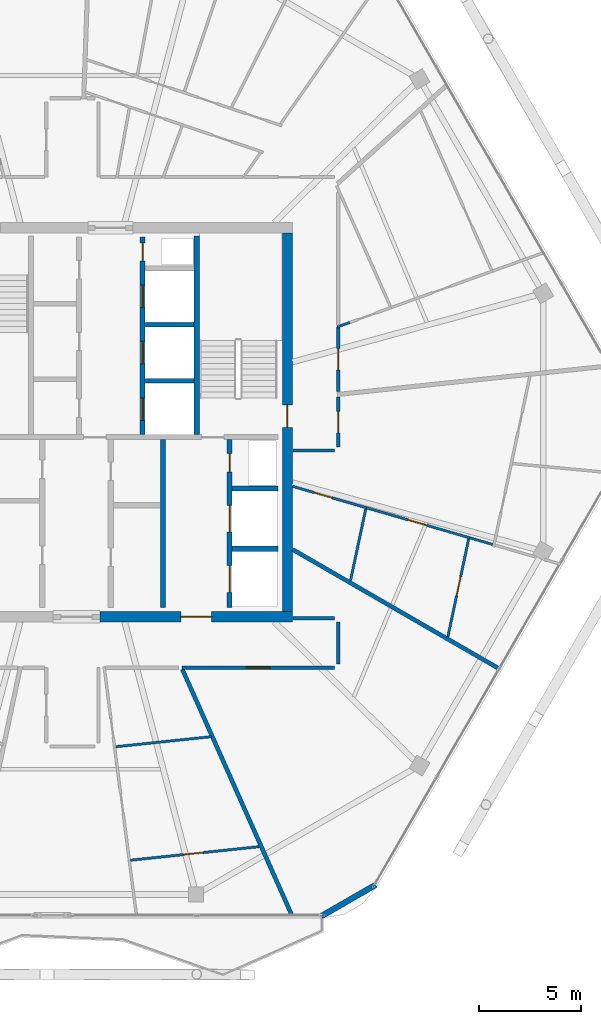
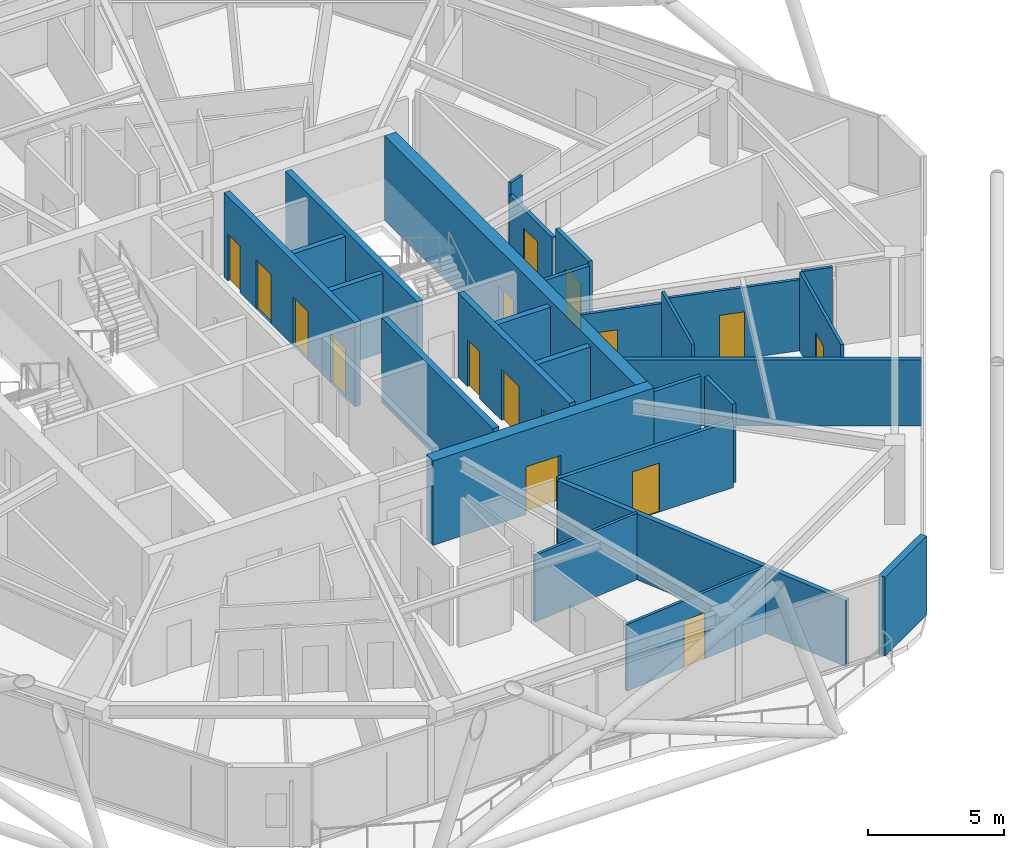
# One storey, part 18 of 23: 27 walls, 16 doors, 16 openings.
"""IFC4 building model written with IfcOpenShell, lengths in metres."""

from ifc_helpers import new_model, si_unit, direction, frame, frame_2d, origin, place, context, subcontext, project, spatial, rectangle, extrude, material, layer, layer_set, type_object, element, fill, save


model = new_model("IFC4")

# Units and contexts
model_context = context("Model", 3, precision=1e-05, world=origin(), true_north=direction((0.0, 1.0)))
body_context = subcontext(model_context, "Body", "Model", "MODEL_VIEW")
ifc_project = project(units=[si_unit("LENGTHUNIT", "METRE"), si_unit("AREAUNIT", "SQUARE_METRE"), si_unit("VOLUMEUNIT", "CUBIC_METRE"), si_unit("PLANEANGLEUNIT", "RADIAN"), si_unit("MASSUNIT", "GRAM", prefix="KILO")], contexts=[model_context])

# Site, building, storey
site_placement = place(None, origin())
site = spatial("IfcSite", under=ifc_project, at=site_placement, CompositionType="ELEMENT")
building_placement = place(site_placement, origin())
building = spatial("IfcBuilding", under=site, at=building_placement, Name="Zuhravey Tower", CompositionType="ELEMENT")
storey_placement = place(building_placement, frame((0.0, 0.0, 346.199951171875)))
storey = spatial("IfcBuildingStorey", under=building, at=storey_placement, Name="L88", CompositionType="ELEMENT", Elevation=346.199951171875)

# Wall, opening, door
ifc_material_1 = material(Name="Concrete C50/60", Category="concrete")
ifc_layer_1 = layer(ifc_material_1, 0.5)
ifc_layer_set_1 = layer_set([ifc_layer_1], Name="Concrete C50/60")
wall_type_1 = type_object("IfcWallType", Name="Core Shear Wall 500", PredefinedType="SHEAR", material=ifc_layer_set_1)
wall_1_placement = place(storey_placement, frame((37.35009765625, 22.5, 0.0), z_axis=(0.0, 0.0, 1.0), x_axis=(1.0, 0.0, 0.0)))
wall_1 = element("IfcWall", 1, at=wall_1_placement, inside=storey, type_object=wall_type_1, Name="L88 South-East Core Shear Wall CW50", PredefinedType="SHEAR", context=body_context, shape_type="SweptSolid", body=[
    extrude(rectangle(XDim=9.39990234375, YDim=0.5, at=frame_2d((4.699951171875, 0.0))), origin(), (0.0, 0.0, 1.0), 3.800048828125),
])
opening_1_placement = place(wall_1_placement, frame((3.949951171875, 0.0, 0.0)))
opening_1 = element("IfcOpeningElement", 2, at=opening_1_placement, cuts=wall_1, Name="Opening FFD1", PredefinedType="OPENING", context=body_context, shape_type="SweptSolid", body=[
    extrude(rectangle(XDim=1.5, YDim=2.14990234375, at=frame_2d((0.75, 1.074951171875))), frame((0.0, 0.261962890625, 0.0), z_axis=(0.0, -1.0, 0.0), x_axis=(1.0, 0.0, 0.0)), (0.0, 0.0, 1.0), 0.52392578125),
])
ifc_material_2 = material(Name="Galvanised fire-rated steel leaf", Category="steel")
door_type_1 = type_object("IfcDoorType", Name="Firefighting Lobby Double Door 1500x2150", OperationType="DOUBLE_DOOR_SINGLE_SWING", PredefinedType="DOOR", material=ifc_material_2)
door_1_placement = place(opening_1_placement, origin())
door_1 = element("IfcDoor", 3, at=door_1_placement, inside=storey, type_object=door_type_1, Name="L88 Firefighting Lobby East Door", OperationType="DOUBLE_DOOR_SINGLE_SWING", OverallHeight=2.14990234375, OverallWidth=1.5, PredefinedType="DOOR", context=body_context, shape_type="SweptSolid", body=[
    extrude(rectangle(XDim=1.5, YDim=2.14990234375, at=frame_2d((0.75, 1.074951171875))), frame((0.0, 0.02490234375, 0.0), z_axis=(0.0, -1.0, 0.0), x_axis=(1.0, 0.0, 0.0)), (0.0, 0.0, 1.0), 0.050048828125),
])
fill(opening_1, door_1)

wall_2_placement = place(storey_placement, frame((46.5, 22.75, 0.0), z_axis=(0.0, 0.0, 1.0), x_axis=(0.0, 1.0, 0.0)))
wall_2 = element("IfcWall", 4, at=wall_2_placement, inside=storey, type_object=wall_type_1, Name="L88 East Core Shear Wall CW50", PredefinedType="SHEAR", context=body_context, shape_type="SweptSolid", body=[
    extrude(rectangle(XDim=18.5, YDim=0.5, at=frame_2d((9.25, 0.0))), origin(), (0.0, 0.0, 1.0), 3.800048828125),
])
opening_2_placement = place(wall_2_placement, frame((9.0, 0.0, 0.0)))
opening_2 = element("IfcOpeningElement", 5, at=opening_2_placement, cuts=wall_2, Name="Opening STD1", PredefinedType="OPENING", context=body_context, shape_type="SweptSolid", body=[
    extrude(rectangle(XDim=1.10009765625, YDim=2.14990234375, at=frame_2d((0.550048828125, 1.074951171875))), frame((0.0, 0.261962890625, 0.0), z_axis=(0.0, -1.0, 0.0), x_axis=(1.0, 0.0, 0.0)), (0.0, 0.0, 1.0), 0.52392578125),
])
door_type_2 = type_object("IfcDoorType", Name="Protected Stair Fire Door 1100x2150", OperationType="NOTDEFINED", PredefinedType="USERDEFINED", material=ifc_material_2)
door_2_placement = place(opening_2_placement, origin())
door_2 = element("IfcDoor", 6, at=door_2_placement, inside=storey, type_object=door_type_2, Name="L88 Stair ST2 Door", ObjectType="EXITDOOR", OperationType="SINGLE_SWING_LEFT", OverallHeight=2.14990234375, OverallWidth=1.10009765625, PredefinedType="USERDEFINED", context=body_context, shape_type="SweptSolid", body=[
    extrude(rectangle(XDim=1.10009765625, YDim=2.14990234375, at=frame_2d((0.550048828125, 1.074951171875))), frame((0.0, 0.02490234375, 0.0), z_axis=(0.0, -1.0, 0.0), x_axis=(1.0, 0.0, 0.0)), (0.0, 0.0, 1.0), 0.050048828125),
])
fill(opening_2, door_2)

ifc_material_3 = material(Name="Gypsum fire-rated stud partition")
ifc_layer_2 = layer(ifc_material_3, 0.159912109375)
ifc_layer_set_2 = layer_set([ifc_layer_2], Name="Gypsum fire-rated stud partition")
wall_type_2 = type_object("IfcWallType", Name="Corridor Fire Partition 160", PredefinedType="PARTITIONING", material=ifc_layer_set_2)
wall_3_placement = place(storey_placement, frame((41.355712890625, 20.02001953125, 0.0), z_axis=(0.0, 0.0, 1.0), x_axis=(1.0, 0.0, 0.0)))
wall_3 = element("IfcWall", 7, at=wall_3_placement, inside=storey, type_object=wall_type_2, Name="L88 IW16 Partition 041", PredefinedType="PARTITIONING", context=body_context, shape_type="SweptSolid", body=[
    extrude(rectangle(XDim=7.4443359375, YDim=0.159912109375, at=frame_2d((3.72216796875, 0.0))), origin(), (0.0, 0.0, 1.0), 3.0),
])
opening_3_placement = place(wall_3_placement, frame((3.147216796875, 0.0, 0.0)))
opening_3 = element("IfcOpeningElement", 8, at=opening_3_placement, cuts=wall_3, Name="Opening CLD1", PredefinedType="OPENING", context=body_context, shape_type="SweptSolid", body=[
    extrude(rectangle(XDim=1.14990234375, YDim=2.199951171875, at=frame_2d((0.574951171875, 1.10009765625))), frame((0.0, 0.092041015625, 0.0), z_axis=(0.0, -1.0, 0.0), x_axis=(1.0, 0.0, 0.0)), (0.0, 0.0, 1.0), 0.183837890625),
])
ifc_material_4 = material(Name="Acoustic timber leaf with vision lite", Category="wood")
door_type_3 = type_object("IfcDoorType", Name="Classroom Acoustic Door 1150x2200", OperationType="NOTDEFINED", PredefinedType="DOOR", material=ifc_material_4)
door_3_placement = place(opening_3_placement, frame((1.14990234375, 0.0, 0.0), z_axis=(0.0, 0.0, 1.0), x_axis=(-1.0, 0.0, 0.0)))
door_3 = element("IfcDoor", 9, at=door_3_placement, inside=storey, type_object=door_type_3, Name="L88 Door 041.1", OperationType="SINGLE_SWING_LEFT", OverallHeight=2.199951171875, OverallWidth=1.14990234375, PredefinedType="DOOR", context=body_context, shape_type="SweptSolid", body=[
    extrude(rectangle(XDim=1.14990234375, YDim=2.199951171875, at=frame_2d((0.574951171875, 1.10009765625))), frame((0.0, 0.02490234375, 0.0), z_axis=(0.0, -1.0, 0.0), x_axis=(1.0, 0.0, 0.0)), (0.0, 0.0, 1.0), 0.050048828125),
])
fill(opening_3, door_3)

wall_4_placement = place(storey_placement, frame((48.97998046875, 30.800048828125, 0.0), z_axis=(0.0, 0.0, 1.0), x_axis=(0.0, 1.0, 0.0)))
wall_4 = element("IfcWall", 10, at=wall_4_placement, inside=storey, type_object=wall_type_2, Name="L88 IW16 Partition 046", PredefinedType="PARTITIONING", context=body_context, shape_type="SweptSolid", body=[
    extrude(rectangle(XDim=2.4296875, YDim=0.159912109375, at=frame_2d((1.21484375, 0.0))), origin(), (0.0, 0.0, 1.0), 3.550048828125),
])
opening_4_placement = place(wall_4_placement, frame((0.68994140625, 0.0, 0.0)))
opening_4 = element("IfcOpeningElement", 11, at=opening_4_placement, cuts=wall_4, Name="Opening APD1", PredefinedType="OPENING", context=body_context, shape_type="SweptSolid", body=[
    extrude(rectangle(XDim=1.050048828125, YDim=2.14990234375, at=frame_2d((0.52490234375, 1.074951171875))), frame((0.0, 0.092041015625, 0.0), z_axis=(0.0, -1.0, 0.0), x_axis=(1.0, 0.0, 0.0)), (0.0, 0.0, 1.0), 0.183837890625),
])
ifc_material_5 = material(Name="Solid-core oak fire-rated leaf")
door_type_4 = type_object("IfcDoorType", Name="Apartment Entrance Fire Door 1050x2150", OperationType="NOTDEFINED", PredefinedType="DOOR", material=ifc_material_5)
door_4_placement = place(opening_4_placement, frame((1.050048828125, 0.0, 0.0), z_axis=(0.0, 0.0, 1.0), x_axis=(-1.0, 0.0, 0.0)))
door_4 = element("IfcDoor", 12, at=door_4_placement, inside=storey, type_object=door_type_4, Name="L88 Door 046.1", OperationType="SINGLE_SWING_LEFT", OverallHeight=2.14990234375, OverallWidth=1.050048828125, PredefinedType="DOOR", context=body_context, shape_type="SweptSolid", body=[
    extrude(rectangle(XDim=1.050048828125, YDim=2.14990234375, at=frame_2d((0.52490234375, 1.074951171875))), frame((0.0, 0.02490234375, 0.0), z_axis=(0.0, -1.0, 0.0), x_axis=(1.0, 0.0, 0.0)), (0.0, 0.0, 1.0), 0.050048828125),
])
fill(opening_4, door_4)

wall_5_placement = place(storey_placement, frame((48.97998046875, 33.4990234375, 0.0), z_axis=(0.0, 0.0, 1.0), x_axis=(0.0, 1.0, 0.0)))
wall_5 = element("IfcWall", 13, at=wall_5_placement, inside=storey, type_object=wall_type_2, Name="L88 IW16 Partition 050", PredefinedType="PARTITIONING", context=body_context, shape_type="SweptSolid", body=[
    extrude(rectangle(XDim=3.15283203125, YDim=0.159912109375, at=frame_2d((1.576416015625, 0.0))), origin(), (0.0, 0.0, 1.0), 3.0),
])
opening_5_placement = place(wall_5_placement, frame((1.051513671875, 0.0, 0.0)))
opening_5 = element("IfcOpeningElement", 14, at=opening_5_placement, cuts=wall_5, Name="Opening APD1", PredefinedType="OPENING", context=body_context, shape_type="SweptSolid", body=[
    extrude(rectangle(XDim=1.050048828125, YDim=2.14990234375, at=frame_2d((0.52490234375, 1.074951171875))), frame((0.0, 0.092041015625, 0.0), z_axis=(0.0, -1.0, 0.0), x_axis=(1.0, 0.0, 0.0)), (0.0, 0.0, 1.0), 0.183837890625),
])
door_5_placement = place(opening_5_placement, frame((1.050048828125, 0.0, 0.0), z_axis=(0.0, 0.0, 1.0), x_axis=(-1.0, 0.0, 0.0)))
door_5 = element("IfcDoor", 15, at=door_5_placement, inside=storey, type_object=door_type_4, Name="L88 Door 050.1", OperationType="SINGLE_SWING_LEFT", OverallHeight=2.14990234375, OverallWidth=1.050048828125, PredefinedType="DOOR", context=body_context, shape_type="SweptSolid", body=[
    extrude(rectangle(XDim=1.050048828125, YDim=2.14990234375, at=frame_2d((0.52490234375, 1.074951171875))), frame((0.0, 0.02490234375, 0.0), z_axis=(0.0, -1.0, 0.0), x_axis=(1.0, 0.0, 0.0)), (0.0, 0.0, 1.0), 0.050048828125),
])
fill(opening_5, door_5)

# Walls
wall_6_placement = place(storey_placement, frame((48.97998046875, 20.199951171875, 0.0), z_axis=(0.0, 0.0, 1.0), x_axis=(0.0, 1.0, 0.0)))
element("IfcWall", 16, at=wall_6_placement, inside=storey, type_object=wall_type_2, Name="L88 IW16 Partition 123", PredefinedType="PARTITIONING", context=body_context, shape_type="SweptSolid", body=[
    extrude(rectangle(XDim=2.050048828125, YDim=0.159912109375, at=frame_2d((1.02490234375, 0.0))), origin(), (0.0, 0.0, 1.0), 3.550048828125),
])
for number, where, z_axis, x_axis, name in (
    (17, (48.800048828125, 22.429931640625, 0.0), (0.0, 0.0, 1.0), (-1.0, 0.0, 0.0), "L88 IW16 Partition 124"),
    (18, (46.77001953125, 30.6201171875, 0.0), (0.0, 0.0, 1.0), (1.0, 0.0, 0.0), "L88 IW16 Partition 125"),
):
    element("IfcWall", number, at=place(storey_placement, frame(where, z_axis=z_axis, x_axis=x_axis)), inside=storey, type_object=wall_type_2, Name=name, PredefinedType="PARTITIONING", context=body_context, shape_type="SweptSolid", body=[
        extrude(rectangle(XDim=2.030029296875, YDim=0.159912109375, at=frame_2d((1.01513671875, 0.0))), origin(), (0.0, 0.0, 1.0), 3.550048828125),
    ])
ifc_material_6 = material(Name="Precast concrete C40/50", Category="concrete")
ifc_layer_3 = layer(ifc_material_6, 0.280029296875)
ifc_layer_set_3 = layer_set([ifc_layer_3], Name="Precast concrete C40/50")
wall_type_3 = type_object("IfcWallType", Name="Crown Architectural Wall 280", PredefinedType="SOLIDWALL", material=ifc_layer_set_3)
wall_7_placement = place(storey_placement, frame((50.811279296875, 9.410888671875, 0.0), z_axis=(0.0, 0.0, 1.0), x_axis=(-0.866023752521, -0.50000286006, 0.0)))
element("IfcWall", 19, at=wall_7_placement, inside=storey, type_object=wall_type_3, Name="L88 Rounded Corner Closure Wall EW28-02", PredefinedType="SOLIDWALL", context=body_context, shape_type="SweptSolid", body=[
    extrude(rectangle(XDim=3.06494140625, YDim=0.280029296875, at=frame_2d((1.532470703125, 0.0))), origin(), (0.0, 0.0, 1.0), 3.550048828125),
])
ifc_layer_4 = layer(ifc_material_1, 0.25)
ifc_layer_set_4 = layer_set([ifc_layer_4], Name="Concrete C50/60")
wall_type_4 = type_object("IfcWallType", Name="Firefighting Shaft & Stair Wall 250", PredefinedType="SOLIDWALL", material=ifc_layer_set_4)
wall_8_placement = place(storey_placement, frame((42.074951171875, 31.39990234375, 0.0), z_axis=(0.0, 0.0, 1.0), x_axis=(0.0, 1.0, 0.0)))
element("IfcWall", 20, at=wall_8_placement, inside=storey, type_object=wall_type_4, Name="L88 FW25 Shaft Wall 006", PredefinedType="SOLIDWALL", context=body_context, shape_type="SweptSolid", body=[
    extrude(rectangle(XDim=9.7001953125, YDim=0.25, at=frame_2d((4.85009765625, 0.0))), origin(), (0.0, 0.0, 1.0), 3.800048828125),
])

# Wall, openings, doors
wall_9_placement = place(storey_placement, frame((39.425048828125, 31.39990234375, 0.0), z_axis=(0.0, 0.0, 1.0), x_axis=(0.0, 1.0, 0.0)))
wall_9 = element("IfcWall", 21, at=wall_9_placement, inside=storey, type_object=wall_type_4, Name="L88 FW25 Shaft Wall 008", PredefinedType="SOLIDWALL", context=body_context, shape_type="SweptSolid", body=[
    extrude(rectangle(XDim=9.650146484375, YDim=0.25, at=frame_2d((4.8251953125, 0.0))), origin(), (0.0, 0.0, 1.0), 3.800048828125),
])
opening_6_placement = place(wall_9_placement, frame((0.699951171875, 0.0, 0.0)))
opening_6 = element("IfcOpeningElement", 22, at=opening_6_placement, cuts=wall_9, Name="Opening LD1", PredefinedType="OPENING", context=body_context, shape_type="SweptSolid", body=[
    extrude(rectangle(XDim=1.10009765625, YDim=2.199951171875, at=frame_2d((0.550048828125, 1.10009765625))), frame((0.0, 0.136962890625, 0.0), z_axis=(0.0, -1.0, 0.0), x_axis=(1.0, 0.0, 0.0)), (0.0, 0.0, 1.0), 0.27392578125),
])
opening_7_placement = place(wall_9_placement, frame((3.449951171875, 0.0, 0.0)))
opening_7 = element("IfcOpeningElement", 23, at=opening_7_placement, cuts=wall_9, Name="Opening LD1", PredefinedType="OPENING", context=body_context, shape_type="SweptSolid", body=[
    extrude(rectangle(XDim=1.10009765625, YDim=2.199951171875, at=frame_2d((0.550048828125, 1.10009765625))), frame((0.0, 0.136962890625, 0.0), z_axis=(0.0, -1.0, 0.0), x_axis=(1.0, 0.0, 0.0)), (0.0, 0.0, 1.0), 0.27392578125),
])
opening_8_placement = place(wall_9_placement, frame((6.199951171875, 0.0, 0.0)))
opening_8 = element("IfcOpeningElement", 24, at=opening_8_placement, cuts=wall_9, Name="Opening LD1", PredefinedType="OPENING", context=body_context, shape_type="SweptSolid", body=[
    extrude(rectangle(XDim=1.10009765625, YDim=2.199951171875, at=frame_2d((0.550048828125, 1.10009765625))), frame((0.0, 0.136962890625, 0.0), z_axis=(0.0, -1.0, 0.0), x_axis=(1.0, 0.0, 0.0)), (0.0, 0.0, 1.0), 0.27392578125),
])
opening_9_placement = place(wall_9_placement, frame((8.469970703125, 0.0, 0.0)))
opening_9 = element("IfcOpeningElement", 25, at=opening_9_placement, cuts=wall_9, Name="Opening RSD1", PredefinedType="OPENING", context=body_context, shape_type="SweptSolid", body=[
    extrude(rectangle(XDim=0.89990234375, YDim=2.10009765625, at=frame_2d((0.449951171875, 1.050048828125))), frame((0.0, 0.136962890625, 0.0), z_axis=(0.0, -1.0, 0.0), x_axis=(1.0, 0.0, 0.0)), (0.0, 0.0, 1.0), 0.27392578125),
])
ifc_material_7 = material(Name="Brushed stainless steel", Category="steel")
door_type_5 = type_object("IfcDoorType", Name="Lift Landing Sliding Door 1100x2200", OperationType="DOUBLE_DOOR_SLIDING", PredefinedType="DOOR", material=ifc_material_7)
door_6_placement = place(opening_6_placement, origin())
door_6 = element("IfcDoor", 26, at=door_6_placement, inside=storey, type_object=door_type_5, Name="L88 Lift PL7 Landing Door", OperationType="DOUBLE_DOOR_SLIDING", OverallHeight=2.199951171875, OverallWidth=1.10009765625, PredefinedType="DOOR", context=body_context, shape_type="SweptSolid", body=[
    extrude(rectangle(XDim=1.10009765625, YDim=2.199951171875, at=frame_2d((0.550048828125, 1.10009765625))), frame((0.0, 0.02490234375, 0.0), z_axis=(0.0, -1.0, 0.0), x_axis=(1.0, 0.0, 0.0)), (0.0, 0.0, 1.0), 0.050048828125),
])
fill(opening_6, door_6)
door_7_placement = place(opening_7_placement, origin())
door_7 = element("IfcDoor", 27, at=door_7_placement, inside=storey, type_object=door_type_5, Name="L88 Lift PL8 Landing Door", OperationType="DOUBLE_DOOR_SLIDING", OverallHeight=2.199951171875, OverallWidth=1.10009765625, PredefinedType="DOOR", context=body_context, shape_type="SweptSolid", body=[
    extrude(rectangle(XDim=1.10009765625, YDim=2.199951171875, at=frame_2d((0.550048828125, 1.10009765625))), frame((0.0, 0.02490234375, 0.0), z_axis=(0.0, -1.0, 0.0), x_axis=(1.0, 0.0, 0.0)), (0.0, 0.0, 1.0), 0.050048828125),
])
fill(opening_7, door_7)
door_8_placement = place(opening_8_placement, origin())
door_8 = element("IfcDoor", 28, at=door_8_placement, inside=storey, type_object=door_type_5, Name="L88 Lift PL9 Landing Door", OperationType="DOUBLE_DOOR_SLIDING", OverallHeight=2.199951171875, OverallWidth=1.10009765625, PredefinedType="DOOR", context=body_context, shape_type="SweptSolid", body=[
    extrude(rectangle(XDim=1.10009765625, YDim=2.199951171875, at=frame_2d((0.550048828125, 1.10009765625))), frame((0.0, 0.02490234375, 0.0), z_axis=(0.0, -1.0, 0.0), x_axis=(1.0, 0.0, 0.0)), (0.0, 0.0, 1.0), 0.050048828125),
])
fill(opening_8, door_8)
ifc_material_8 = material(Name="Galvanised fire-rated steel access leaf", Category="steel")
door_type_6 = type_object("IfcDoorType", Name="Riser & Shaft Access Fire Door 900x2100", OperationType="NOTDEFINED", PredefinedType="DOOR", material=ifc_material_8)
door_9_placement = place(opening_9_placement, origin())
door_9 = element("IfcDoor", 29, at=door_9_placement, inside=storey, type_object=door_type_6, Name="L88 North Riser Door", OperationType="SINGLE_SWING_LEFT", OverallHeight=2.10009765625, OverallWidth=0.89990234375, PredefinedType="DOOR", context=body_context, shape_type="SweptSolid", body=[
    extrude(rectangle(XDim=0.89990234375, YDim=2.10009765625, at=frame_2d((0.449951171875, 1.050048828125))), frame((0.0, 0.02490234375, 0.0), z_axis=(0.0, -1.0, 0.0), x_axis=(1.0, 0.0, 0.0)), (0.0, 0.0, 1.0), 0.050048828125),
])
fill(opening_9, door_9)

# Walls
wall_10_placement = place(storey_placement, frame((40.425048828125, 22.949951171875, 0.0), z_axis=(0.0, 0.0, 1.0), x_axis=(0.0, 1.0, 0.0)))
element("IfcWall", 30, at=wall_10_placement, inside=storey, type_object=wall_type_4, Name="L88 FW25 Shaft Wall 016", PredefinedType="SOLIDWALL", context=body_context, shape_type="SweptSolid", body=[
    extrude(rectangle(XDim=8.199951171875, YDim=0.25, at=frame_2d((4.10009765625, 0.0))), origin(), (0.0, 0.0, 1.0), 3.800048828125),
])
for number, where, z_axis, x_axis, name in (
    (31, (43.800048828125, 25.824951171875, 0.0), (0.0, 0.0, 1.0), (1.0, 0.0, 0.0), "L88 FW25 Shaft Wall 017"),
    (32, (43.800048828125, 28.77490234375, 0.0), (0.0, 0.0, 1.0), (1.0, 0.0, 0.0), "L88 FW25 Shaft Wall 018"),
):
    element("IfcWall", number, at=place(storey_placement, frame(where, z_axis=z_axis, x_axis=x_axis)), inside=storey, type_object=wall_type_4, Name=name, PredefinedType="SOLIDWALL", context=body_context, shape_type="SweptSolid", body=[
        extrude(rectangle(XDim=2.25, YDim=0.25, at=frame_2d((1.125, 0.0))), origin(), (0.0, 0.0, 1.0), 3.800048828125),
    ])

# Wall, openings, doors
wall_11_placement = place(storey_placement, frame((43.675048828125, 22.949951171875, 0.0), z_axis=(0.0, 0.0, 1.0), x_axis=(0.0, 1.0, 0.0)))
wall_11 = element("IfcWall", 33, at=wall_11_placement, inside=storey, type_object=wall_type_4, Name="L88 FW25 Shaft Wall 019", PredefinedType="SOLIDWALL", context=body_context, shape_type="SweptSolid", body=[
    extrude(rectangle(XDim=8.199951171875, YDim=0.25, at=frame_2d((4.10009765625, 0.0))), origin(), (0.0, 0.0, 1.0), 3.800048828125),
])
opening_10_placement = place(wall_11_placement, frame((0.75, 0.0, 0.0)))
opening_10 = element("IfcOpeningElement", 34, at=opening_10_placement, cuts=wall_11, Name="Opening LD2", PredefinedType="OPENING", context=body_context, shape_type="SweptSolid", body=[
    extrude(rectangle(XDim=1.300048828125, YDim=2.300048828125, at=frame_2d((0.64990234375, 1.14990234375))), frame((0.0, 0.136962890625, 0.0), z_axis=(0.0, -1.0, 0.0), x_axis=(1.0, 0.0, 0.0)), (0.0, 0.0, 1.0), 0.27392578125),
])
opening_11_placement = place(wall_11_placement, frame((3.699951171875, 0.0, 0.0)))
opening_11 = element("IfcOpeningElement", 35, at=opening_11_placement, cuts=wall_11, Name="Opening LD2", PredefinedType="OPENING", context=body_context, shape_type="SweptSolid", body=[
    extrude(rectangle(XDim=1.300048828125, YDim=2.300048828125, at=frame_2d((0.64990234375, 1.14990234375))), frame((0.0, 0.136962890625, 0.0), z_axis=(0.0, -1.0, 0.0), x_axis=(1.0, 0.0, 0.0)), (0.0, 0.0, 1.0), 0.27392578125),
])
opening_12_placement = place(wall_11_placement, frame((6.6201171875, 0.0, 0.0)))
opening_12 = element("IfcOpeningElement", 36, at=opening_12_placement, cuts=wall_11, Name="Opening RSD1", PredefinedType="OPENING", context=body_context, shape_type="SweptSolid", body=[
    extrude(rectangle(XDim=0.89990234375, YDim=2.10009765625, at=frame_2d((0.449951171875, 1.050048828125))), frame((0.0, 0.136962890625, 0.0), z_axis=(0.0, -1.0, 0.0), x_axis=(1.0, 0.0, 0.0)), (0.0, 0.0, 1.0), 0.27392578125),
])
door_type_7 = type_object("IfcDoorType", Name="Freight & Stretcher Lift Sliding Door 1300x2300", OperationType="DOUBLE_DOOR_SLIDING", PredefinedType="DOOR", material=ifc_material_7)
door_10_placement = place(opening_10_placement, origin())
door_10 = element("IfcDoor", 37, at=door_10_placement, inside=storey, type_object=door_type_7, Name="L88 Lift FF2 Landing Door", OperationType="DOUBLE_DOOR_SLIDING", OverallHeight=2.300048828125, OverallWidth=1.300048828125, PredefinedType="DOOR", context=body_context, shape_type="SweptSolid", body=[
    extrude(rectangle(XDim=1.300048828125, YDim=2.300048828125, at=frame_2d((0.64990234375, 1.14990234375))), frame((0.0, 0.02490234375, 0.0), z_axis=(0.0, -1.0, 0.0), x_axis=(1.0, 0.0, 0.0)), (0.0, 0.0, 1.0), 0.050048828125),
])
fill(opening_10, door_10)
door_11_placement = place(opening_11_placement, origin())
door_11 = element("IfcDoor", 38, at=door_11_placement, inside=storey, type_object=door_type_7, Name="L88 Lift SV1 Landing Door", OperationType="DOUBLE_DOOR_SLIDING", OverallHeight=2.300048828125, OverallWidth=1.300048828125, PredefinedType="DOOR", context=body_context, shape_type="SweptSolid", body=[
    extrude(rectangle(XDim=1.300048828125, YDim=2.300048828125, at=frame_2d((0.64990234375, 1.14990234375))), frame((0.0, 0.02490234375, 0.0), z_axis=(0.0, -1.0, 0.0), x_axis=(1.0, 0.0, 0.0)), (0.0, 0.0, 1.0), 0.050048828125),
])
fill(opening_11, door_11)
door_12_placement = place(opening_12_placement, origin())
door_12 = element("IfcDoor", 39, at=door_12_placement, inside=storey, type_object=door_type_6, Name="L88 Plumbing Riser Door", OperationType="SINGLE_SWING_RIGHT", OverallHeight=2.10009765625, OverallWidth=0.89990234375, PredefinedType="DOOR", context=body_context, shape_type="SweptSolid", body=[
    extrude(rectangle(XDim=0.89990234375, YDim=2.10009765625, at=frame_2d((0.449951171875, 1.050048828125))), frame((0.0, 0.02490234375, 0.0), z_axis=(0.0, -1.0, 0.0), x_axis=(1.0, 0.0, 0.0)), (0.0, 0.0, 1.0), 0.050048828125),
])
fill(opening_12, door_12)

# Walls
ifc_material_9 = material(Name="Gypsum double-stud party assembly")
ifc_layer_5 = layer(ifc_material_9, 0.199951171875)
ifc_layer_set_5 = layer_set([ifc_layer_5], Name="Gypsum double-stud party assembly")
wall_type_5 = type_object("IfcWallType", Name="Inter-Tenancy Party Wall 200", PredefinedType="PARTITIONING", material=ifc_layer_set_5)
wall_12_placement = place(storey_placement, frame((41.373046875, 19.931884765625, 0.0), z_axis=(0.0, 0.0, 1.0), x_axis=(0.406736471648, -0.913545533967, 0.0)))
element("IfcWall", 40, at=wall_12_placement, inside=storey, type_object=wall_type_5, Name="L88 IW20 Partition 090", PredefinedType="PARTITIONING", context=body_context, shape_type="SweptSolid", body=[
    extrude(rectangle(XDim=13.142333984375, YDim=0.199951171875, at=frame_2d((6.5712890625, 0.0))), origin(), (0.0, 0.0, 1.0), 2.969970703125),
])
wall_13_placement = place(storey_placement, frame((46.758056640625, 25.788818359375, 0.0), z_axis=(0.0, 0.0, 1.0), x_axis=(0.866025778731, -0.499999350573, 0.0)))
element("IfcWall", 41, at=wall_13_placement, inside=storey, type_object=wall_type_5, Name="L88 IW20 Partition 091", PredefinedType="PARTITIONING", context=body_context, shape_type="SweptSolid", body=[
    extrude(rectangle(XDim=11.65185546875, YDim=0.199951171875, at=frame_2d((5.825927734375, 0.0))), origin(), (0.0, 0.0, 1.0), 2.969970703125),
])
ifc_material_10 = material(Name="Gypsum acoustic stud assembly")
ifc_layer_6 = layer(ifc_material_10, 0.219970703125)
ifc_layer_set_6 = layer_set([ifc_layer_6], Name="Gypsum acoustic stud assembly")
wall_type_6 = type_object("IfcWallType", Name="School Acoustic Compartment Wall 220", PredefinedType="PARTITIONING", material=ifc_layer_set_6)
for number, where, z_axis, x_axis, name in (
    (42, (39.55810546875, 34.02490234375, 0.0), (0.0, 0.0, 1.0), (1.0, 0.0, 0.0), "L88 IW22 Partition 053"),
    (43, (39.55810546875, 36.77490234375, 0.0), (0.0, 0.0, 1.0), (1.0, 0.0, 0.0), "L88 IW22 Partition 054"),
):
    element("IfcWall", number, at=place(storey_placement, frame(where, z_axis=z_axis, x_axis=x_axis)), inside=storey, type_object=wall_type_6, Name=name, PredefinedType="PARTITIONING", context=body_context, shape_type="SweptSolid", body=[
        extrude(rectangle(XDim=2.3837890625, YDim=0.219970703125, at=frame_2d((1.19189453125, 0.0))), origin(), (0.0, 0.0, 1.0), 3.550048828125),
    ])

# Wall, opening, door
ifc_material_11 = material(Name="Gypsum metal-stud partition")
ifc_layer_7 = layer(ifc_material_11, 0.1201171875)
ifc_layer_set_7 = layer_set([ifc_layer_7], Name="Gypsum metal-stud partition")
wall_type_7 = type_object("IfcWallType", Name="Unit Internal Partition 120", PredefinedType="PARTITIONING", material=ifc_layer_set_7)
wall_14_placement = place(storey_placement, frame((38.84619140625, 10.6142578125, 0.0), z_axis=(0.0, 0.0, 1.0), x_axis=(0.994523460233, 0.1045135735, 0.0)))
wall_14 = element("IfcWall", 44, at=wall_14_placement, inside=storey, type_object=wall_type_7, Name="L88 IW12 Partition 039", PredefinedType="PARTITIONING", context=body_context, shape_type="SweptSolid", body=[
    extrude(rectangle(XDim=6.3095703125, YDim=0.1201171875, at=frame_2d((3.15478515625, 0.0))), origin(), (0.0, 0.0, 1.0), 3.0),
])
opening_13_placement = place(wall_14_placement, frame((2.595703125, 0.0, 0.0)))
opening_13 = element("IfcOpeningElement", 45, at=opening_13_placement, cuts=wall_14, Name="Opening IND1", PredefinedType="OPENING", context=body_context, shape_type="SweptSolid", body=[
    extrude(rectangle(XDim=0.949951171875, YDim=2.10009765625, at=frame_2d((0.47509765625, 1.050048828125))), frame((0.0, 0.072021484375, 0.0), z_axis=(0.0, -1.0, 0.0), x_axis=(1.0, 0.0, 0.0)), (0.0, 0.0, 1.0), 0.14404296875),
])
ifc_material_12 = material(Name="Painted engineered timber leaf", Category="wood")
door_type_8 = type_object("IfcDoorType", Name="Internal Room & Bedroom Door 950x2100", OperationType="NOTDEFINED", PredefinedType="DOOR", material=ifc_material_12)
door_13_placement = place(opening_13_placement, frame((0.949951171875, 0.0, 0.0), z_axis=(0.0, 0.0, 1.0), x_axis=(-1.0, 0.0, 0.0)))
door_13 = element("IfcDoor", 46, at=door_13_placement, inside=storey, type_object=door_type_8, Name="Apartment L88-06 Bedroom 1 Door", OperationType="SINGLE_SWING_LEFT", OverallHeight=2.10009765625, OverallWidth=0.949951171875, PredefinedType="DOOR", context=body_context, shape_type="SweptSolid", body=[
    extrude(rectangle(XDim=0.949951171875, YDim=2.10009765625, at=frame_2d((0.47509765625, 1.050048828125))), frame((0.0, 0.02490234375, 0.0), z_axis=(0.0, -1.0, 0.0), x_axis=(1.0, 0.0, 0.0)), (0.0, 0.0, 1.0), 0.050048828125),
])
fill(opening_13, door_13)

wall_15_placement = place(storey_placement, frame((46.758056640625, 28.87451171875, 0.0), z_axis=(0.0, 0.0, 1.0), x_axis=(0.960290635707, -0.279001603891, 0.0)))
wall_15 = element("IfcWall", 47, at=wall_15_placement, inside=storey, type_object=wall_type_7, Name="L88 IW12 Partition 043", PredefinedType="PARTITIONING", context=body_context, shape_type="SweptSolid", body=[
    extrude(rectangle(XDim=3.756591796875, YDim=0.1201171875, at=frame_2d((1.87841796875, 0.0))), origin(), (0.0, 0.0, 1.0), 3.0),
])
opening_14_placement = place(wall_15_placement, frame((1.1083984375, 0.0, 0.0)))
opening_14 = element("IfcOpeningElement", 48, at=opening_14_placement, cuts=wall_15, Name="Opening WCD1", PredefinedType="OPENING", context=body_context, shape_type="SweptSolid", body=[
    extrude(rectangle(XDim=0.89990234375, YDim=2.10009765625, at=frame_2d((0.449951171875, 1.050048828125))), frame((0.0, 0.072021484375, 0.0), z_axis=(0.0, -1.0, 0.0), x_axis=(1.0, 0.0, 0.0)), (0.0, 0.0, 1.0), 0.14404296875),
])
ifc_material_13 = material(Name="Moisture-resistant timber leaf", Category="wood")
door_type_9 = type_object("IfcDoorType", Name="Bathroom & WC Internal Door 900x2100", OperationType="NOTDEFINED", PredefinedType="DOOR", material=ifc_material_13)
door_14_placement = place(opening_14_placement, frame((0.89990234375, 0.0, 0.0), z_axis=(0.0, 0.0, 1.0), x_axis=(-1.0, 0.0, 0.0)))
door_14 = element("IfcDoor", 49, at=door_14_placement, inside=storey, type_object=door_type_9, Name="Apartment L88-08 Bathroom Door", OperationType="SINGLE_SWING_RIGHT", OverallHeight=2.10009765625, OverallWidth=0.89990234375, PredefinedType="DOOR", context=body_context, shape_type="SweptSolid", body=[
    extrude(rectangle(XDim=0.89990234375, YDim=2.10009765625, at=frame_2d((0.449951171875, 1.050048828125))), frame((0.0, 0.02490234375, 0.0), z_axis=(0.0, -1.0, 0.0), x_axis=(1.0, 0.0, 0.0)), (0.0, 0.0, 1.0), 0.050048828125),
])
fill(opening_14, door_14)

wall_16_placement = place(storey_placement, frame((50.365478515625, 27.826416015625, 0.0), z_axis=(0.0, 0.0, 1.0), x_axis=(0.960293456694, -0.278991894201, 0.0)))
wall_16 = element("IfcWall", 50, at=wall_16_placement, inside=storey, type_object=wall_type_7, Name="L88 IW12 Partition 044", PredefinedType="PARTITIONING", context=body_context, shape_type="SweptSolid", body=[
    extrude(rectangle(XDim=5.236572265625, YDim=0.1201171875, at=frame_2d((2.6181640625, 0.0))), origin(), (0.0, 0.0, 1.0), 3.199951171875),
])
opening_15_placement = place(wall_16_placement, frame((2.1181640625, 0.0, 0.0)))
opening_15 = element("IfcOpeningElement", 51, at=opening_15_placement, cuts=wall_16, Name="Opening IND1", PredefinedType="OPENING", context=body_context, shape_type="SweptSolid", body=[
    extrude(rectangle(XDim=0.949951171875, YDim=2.10009765625, at=frame_2d((0.47509765625, 1.050048828125))), frame((0.0, 0.072021484375, 0.0), z_axis=(0.0, -1.0, 0.0), x_axis=(1.0, 0.0, 0.0)), (0.0, 0.0, 1.0), 0.14404296875),
])
door_15_placement = place(opening_15_placement, frame((0.949951171875, 0.0, 0.0), z_axis=(0.0, 0.0, 1.0), x_axis=(-1.0, 0.0, 0.0)))
door_15 = element("IfcDoor", 52, at=door_15_placement, inside=storey, type_object=door_type_8, Name="Apartment L88-08 Home Office Door", OperationType="SINGLE_SWING_LEFT", OverallHeight=2.10009765625, OverallWidth=0.949951171875, PredefinedType="DOOR", context=body_context, shape_type="SweptSolid", body=[
    extrude(rectangle(XDim=0.949951171875, YDim=2.10009765625, at=frame_2d((0.47509765625, 1.050048828125))), frame((0.0, 0.02490234375, 0.0), z_axis=(0.0, -1.0, 0.0), x_axis=(1.0, 0.0, 0.0)), (0.0, 0.0, 1.0), 0.050048828125),
])
fill(opening_15, door_15)

wall_17_placement = place(storey_placement, frame((54.33642578125, 21.5107421875, 0.0), z_axis=(0.0, 0.0, 1.0), x_axis=(0.207920104204, 0.978145812376, 0.0)))
wall_17 = element("IfcWall", 53, at=wall_17_placement, inside=storey, type_object=wall_type_7, Name="L88 IW12 Partition 045", PredefinedType="PARTITIONING", context=body_context, shape_type="SweptSolid", body=[
    extrude(rectangle(XDim=4.90234375, YDim=0.1201171875, at=frame_2d((2.451171875, 0.0))), origin(), (0.0, 0.0, 1.0), 3.550048828125),
])
opening_16_placement = place(wall_17_placement, frame((2.060302734375, 0.0, 0.0)))
opening_16 = element("IfcOpeningElement", 54, at=opening_16_placement, cuts=wall_17, Name="Opening IND1", PredefinedType="OPENING", context=body_context, shape_type="SweptSolid", body=[
    extrude(rectangle(XDim=0.949951171875, YDim=2.10009765625, at=frame_2d((0.47509765625, 1.050048828125))), frame((0.0, 0.072021484375, 0.0), z_axis=(0.0, -1.0, 0.0), x_axis=(1.0, 0.0, 0.0)), (0.0, 0.0, 1.0), 0.14404296875),
])
door_16_placement = place(opening_16_placement, frame((0.949951171875, 0.0, 0.0), z_axis=(0.0, 0.0, 1.0), x_axis=(-1.0, 0.0, 0.0)))
door_16 = element("IfcDoor", 55, at=door_16_placement, inside=storey, type_object=door_type_8, Name="Apartment L88-08 Bedroom 1 Door", OperationType="SINGLE_SWING_RIGHT", OverallHeight=2.10009765625, OverallWidth=0.949951171875, PredefinedType="DOOR", context=body_context, shape_type="SweptSolid", body=[
    extrude(rectangle(XDim=0.949951171875, YDim=2.10009765625, at=frame_2d((0.47509765625, 1.050048828125))), frame((0.0, 0.02490234375, 0.0), z_axis=(0.0, -1.0, 0.0), x_axis=(1.0, 0.0, 0.0)), (0.0, 0.0, 1.0), 0.050048828125),
])
fill(opening_16, door_16)

# Walls
wall_18_placement = place(storey_placement, frame((38.126220703125, 16.156494140625, 0.0), z_axis=(0.0, 0.0, 1.0), x_axis=(0.994525709455, 0.104492168289, 0.0)))
element("IfcWall", 56, at=wall_18_placement, inside=storey, type_object=wall_type_7, Name="L88 IW12 Partition 089", PredefinedType="PARTITIONING", context=body_context, shape_type="SweptSolid", body=[
    extrude(rectangle(XDim=4.6845703125, YDim=0.1201171875, at=frame_2d((2.34228515625, 0.0))), origin(), (0.0, 0.0, 1.0), 3.0),
])
wall_19_placement = place(storey_placement, frame((55.39404296875, 26.365478515625, 0.0), z_axis=(0.0, 0.0, 1.0), x_axis=(0.960281932935, -0.279031556062, 0.0)))
element("IfcWall", 57, at=wall_19_placement, inside=storey, type_object=wall_type_7, Name="L88 IW12 Partition 093", PredefinedType="PARTITIONING", context=body_context, shape_type="SweptSolid", body=[
    extrude(rectangle(XDim=1.18115234375, YDim=0.1201171875, at=frame_2d((0.590576171875, 0.0))), origin(), (0.0, 0.0, 1.0), 3.550048828125),
])
wall_20_placement = place(storey_placement, frame((49.586181640625, 24.28076171875, 0.0), z_axis=(0.0, 0.0, 1.0), x_axis=(0.207984930921, 0.978132030203, 0.0)))
element("IfcWall", 58, at=wall_20_placement, inside=storey, type_object=wall_type_7, Name="L88 IW12 Partition 096", PredefinedType="PARTITIONING", context=body_context, shape_type="SweptSolid", body=[
    extrude(rectangle(XDim=3.563720703125, YDim=0.1201171875, at=frame_2d((1.78173828125, 0.0))), origin(), (0.0, 0.0, 1.0), 3.550048828125),
])
wall_21_placement = place(storey_placement, frame((48.9365234375, 36.657470703125, 0.0), z_axis=(0.0, 0.0, 1.0), x_axis=(0.940849224184, 0.338825526417, 0.0)))
element("IfcWall", 59, at=wall_21_placement, inside=storey, type_object=wall_type_7, Name="L88 IW12 Partition 098", PredefinedType="PARTITIONING", context=body_context, shape_type="SweptSolid", body=[
    extrude(rectangle(XDim=0.652099609375, YDim=0.1201171875, at=frame_2d((0.326171875, 0.0))), origin(), (0.0, 0.0, 1.0), 3.550048828125),
])

save(model, "model.ifc")
